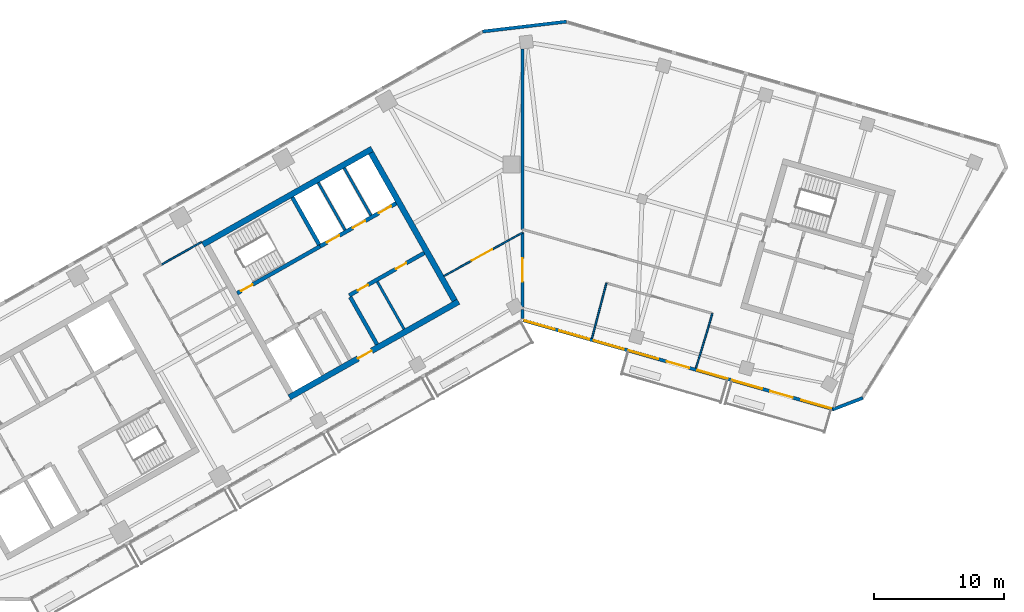
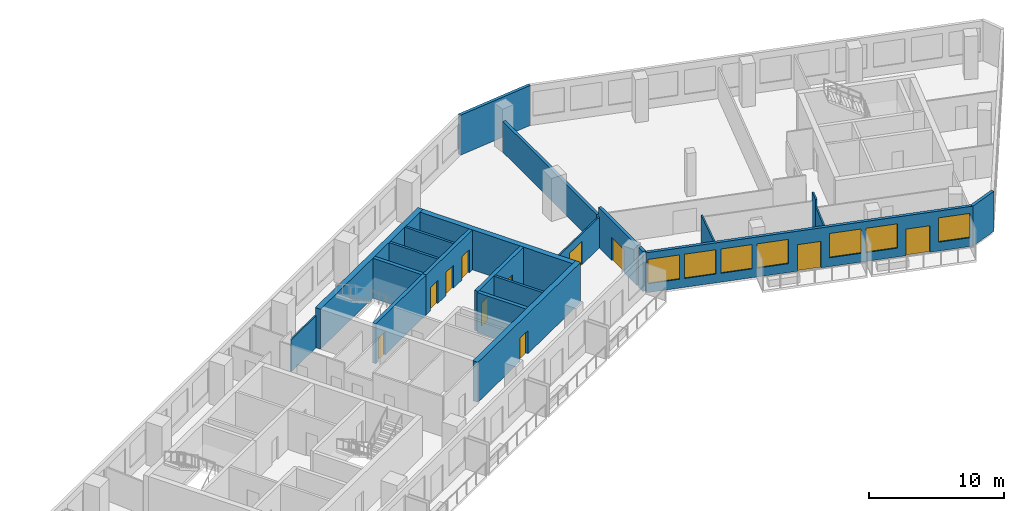
# One storey, part 6 of 11: 22 walls, 11 doors, 7 windows, 18 openings.
"""IFC4 building model written with IfcOpenShell, lengths in metres."""

from ifc_helpers import new_model, si_unit, direction, frame, frame_2d, origin, place, context, subcontext, project, spatial, rectangle, extrude, material, layer, layer_set, type_object, element, fill, save


model = new_model("IFC4")

# Units and contexts
model_context = context("Model", 3, precision=1e-05, world=origin(), true_north=direction((0.0, 1.0)))
body_context = subcontext(model_context, "Body", "Model", "MODEL_VIEW")
ifc_project = project(units=[si_unit("LENGTHUNIT", "METRE"), si_unit("AREAUNIT", "SQUARE_METRE"), si_unit("VOLUMEUNIT", "CUBIC_METRE"), si_unit("PLANEANGLEUNIT", "RADIAN"), si_unit("MASSUNIT", "GRAM", prefix="KILO")], contexts=[model_context])

# Site, building, storey
site_placement = place(None, origin())
site = spatial("IfcSite", under=ifc_project, at=site_placement, CompositionType="ELEMENT")
building_placement = place(site_placement, origin())
building = spatial("IfcBuilding", under=site, at=building_placement, Name="Binnacle Exchange Tower", CompositionType="ELEMENT")
storey_placement = place(building_placement, frame((0.0, 0.0, 219.199951171875)))
storey = spatial("IfcBuildingStorey", under=building, at=storey_placement, Name="L48", CompositionType="ELEMENT", Elevation=219.199951171875)

# Wall
ifc_material_1 = material(Name="Gypsum partition fire rated")
ifc_layer_1 = layer(ifc_material_1, 0.199951171875)
ifc_layer_set_1 = layer_set([ifc_layer_1], Name="Core partition 200")
wall_type_1 = type_object("IfcWallType", Name="Core partition 200", PredefinedType="PARTITIONING", material=ifc_layer_set_1)
wall_1_placement = place(storey_placement, frame((-11.201904296875, 50.96240234375, 0.0), z_axis=(0.0, 0.0, 1.0), x_axis=(0.492453686477, -0.870338650569, 0.0)))
element("IfcWall", 1, at=wall_1_placement, inside=storey, type_object=wall_type_1, Name="Core wall CRWC19", PredefinedType="PARTITIONING", context=body_context, shape_type="SweptSolid", body=[
    extrude(rectangle(XDim=4.2001953125, YDim=0.199951171875, at=frame_2d((2.10009765625, 0.0))), origin(), (0.0, 0.0, 1.0), 3.6201171875),
])

# Wall, openings, doors
ifc_material_2 = material(Name="Concrete C70/85", Category="concrete")
ifc_layer_2 = layer(ifc_material_2, 0.300048828125)
ifc_layer_set_2 = layer_set([ifc_layer_2], Name="Core wall - front 300")
wall_type_2 = type_object("IfcWallType", Name="Core wall - front 300", PredefinedType="SOLIDWALL", material=ifc_layer_set_2)
wall_2_placement = place(storey_placement, frame((-13.364501953125, 49.910888671875, 0.0), z_axis=(0.0, 0.0, 1.0), x_axis=(0.870352159619, 0.492429810477, 0.0)))
wall_2 = element("IfcWall", 2, at=wall_2_placement, inside=storey, type_object=wall_type_2, Name="Core wall CRWC3", PredefinedType="SOLIDWALL", context=body_context, shape_type="SweptSolid", body=[
    extrude(rectangle(XDim=6.64990234375, YDim=0.300048828125, at=frame_2d((3.324951171875, 0.0))), origin(), (0.0, 0.0, 1.0), 3.6201171875),
])
opening_1_placement = place(wall_2_placement, frame((0.75, 0.0, 0.0)))
opening_1 = element("IfcOpeningElement", 3, at=opening_1_placement, cuts=wall_2, Name="Opening DC18", PredefinedType="OPENING", context=body_context, shape_type="SweptSolid", body=[
    extrude(rectangle(XDim=0.89990234375, YDim=2.10009765625, at=frame_2d((0.449951171875, 1.050048828125))), frame((0.0, 0.159912109375, 0.0), z_axis=(0.0, -1.0, 0.0), x_axis=(1.0, 0.0, 0.0)), (0.0, 0.0, 1.0), 0.320068359375),
])
opening_2_placement = place(wall_2_placement, frame((4.14990234375, 0.0, 0.0)))
opening_2 = element("IfcOpeningElement", 4, at=opening_2_placement, cuts=wall_2, Name="Opening DC19", PredefinedType="OPENING", context=body_context, shape_type="SweptSolid", body=[
    extrude(rectangle(XDim=0.89990234375, YDim=2.10009765625, at=frame_2d((0.449951171875, 1.050048828125))), frame((0.0, 0.159912109375, 0.0), z_axis=(0.0, -1.0, 0.0), x_axis=(1.0, 0.0, 0.0)), (0.0, 0.0, 1.0), 0.320068359375),
])
ifc_material_3 = material(Name="Steel door leaf", Category="steel")
door_type_1 = type_object("IfcDoorType", Name="Fire door 900", OperationType="NOTDEFINED", PredefinedType="DOOR", material=ifc_material_3)
door_1_placement = place(opening_1_placement, frame((0.89990234375, 0.0, 0.0), z_axis=(0.0, 0.0, 1.0), x_axis=(-1.0, 0.0, 0.0)))
door_1 = element("IfcDoor", 5, at=door_1_placement, inside=storey, type_object=door_type_1, Name="Core room door COMMS RISER ROOM", OperationType="SINGLE_SWING_RIGHT", OverallHeight=2.10009765625, OverallWidth=0.89990234375, PredefinedType="DOOR", context=body_context, shape_type="SweptSolid", body=[
    extrude(rectangle(XDim=0.89990234375, YDim=2.10009765625, at=frame_2d((0.449951171875, 1.050048828125))), frame((0.0, 0.02490234375, 0.0), z_axis=(0.0, -1.0, 0.0), x_axis=(1.0, 0.0, 0.0)), (0.0, 0.0, 1.0), 0.050048828125),
])
fill(opening_1, door_1)
door_2_placement = place(opening_2_placement, frame((0.89990234375, 0.0, 0.0), z_axis=(0.0, 0.0, 1.0), x_axis=(-1.0, 0.0, 0.0)))
door_2 = element("IfcDoor", 6, at=door_2_placement, inside=storey, type_object=door_type_1, Name="Core room door TELECOM RISER ROOM", OperationType="SINGLE_SWING_LEFT", OverallHeight=2.10009765625, OverallWidth=0.89990234375, PredefinedType="DOOR", context=body_context, shape_type="SweptSolid", body=[
    extrude(rectangle(XDim=0.89990234375, YDim=2.10009765625, at=frame_2d((0.449951171875, 1.050048828125))), frame((0.0, 0.02490234375, 0.0), z_axis=(0.0, -1.0, 0.0), x_axis=(1.0, 0.0, 0.0)), (0.0, 0.0, 1.0), 0.050048828125),
])
fill(opening_2, door_2)

wall_3_placement = place(storey_placement, frame((-15.6181640625, 53.69140625, 0.0), z_axis=(0.0, 0.0, 1.0), x_axis=(0.870358646884, 0.492418344291, 0.0)))
wall_3 = element("IfcWall", 7, at=wall_3_placement, inside=storey, type_object=wall_type_2, Name="Core wall CRWC5", PredefinedType="SOLIDWALL", context=body_context, shape_type="SweptSolid", body=[
    extrude(rectangle(XDim=6.749755859375, YDim=0.300048828125, at=frame_2d((3.375, 0.0))), origin(), (0.0, 0.0, 1.0), 3.6201171875),
])
opening_3_placement = place(wall_3_placement, frame((0.60009765625, 0.0, 0.0)))
opening_3 = element("IfcOpeningElement", 8, at=opening_3_placement, cuts=wall_3, Name="Opening LD5", PredefinedType="OPENING", context=body_context, shape_type="SweptSolid", body=[
    extrude(rectangle(XDim=1.10009765625, YDim=2.10009765625, at=frame_2d((0.550048828125, 1.050048828125))), frame((0.0, 0.159912109375, 0.0), z_axis=(0.0, -1.0, 0.0), x_axis=(1.0, 0.0, 0.0)), (0.0, 0.0, 1.0), 0.320068359375),
])
opening_4_placement = place(wall_3_placement, frame((2.89990234375, 0.0, 0.0)))
opening_4 = element("IfcOpeningElement", 9, at=opening_4_placement, cuts=wall_3, Name="Opening LD6", PredefinedType="OPENING", context=body_context, shape_type="SweptSolid", body=[
    extrude(rectangle(XDim=1.10009765625, YDim=2.10009765625, at=frame_2d((0.550048828125, 1.050048828125))), frame((0.0, 0.159912109375, 0.0), z_axis=(0.0, -1.0, 0.0), x_axis=(1.0, 0.0, 0.0)), (0.0, 0.0, 1.0), 0.320068359375),
])
opening_5_placement = place(wall_3_placement, frame((5.199951171875, 0.0, 0.0)))
opening_5 = element("IfcOpeningElement", 10, at=opening_5_placement, cuts=wall_3, Name="Opening LD7", PredefinedType="OPENING", context=body_context, shape_type="SweptSolid", body=[
    extrude(rectangle(XDim=1.10009765625, YDim=2.10009765625, at=frame_2d((0.550048828125, 1.050048828125))), frame((0.0, 0.159912109375, 0.0), z_axis=(0.0, -1.0, 0.0), x_axis=(1.0, 0.0, 0.0)), (0.0, 0.0, 1.0), 0.320068359375),
])
door_type_2 = type_object("IfcDoorType", Name="Fire door - lift landing 1100", OperationType="NOTDEFINED", PredefinedType="DOOR", material=ifc_material_3)
door_3_placement = place(opening_3_placement, origin())
door_3 = element("IfcDoor", 11, at=door_3_placement, inside=storey, type_object=door_type_2, Name="Landing door LD5 L48", OperationType="DOUBLE_DOOR_SLIDING", OverallHeight=2.10009765625, OverallWidth=1.10009765625, PredefinedType="DOOR", context=body_context, shape_type="SweptSolid", body=[
    extrude(rectangle(XDim=1.10009765625, YDim=2.10009765625, at=frame_2d((0.550048828125, 1.050048828125))), frame((0.0, 0.02490234375, 0.0), z_axis=(0.0, -1.0, 0.0), x_axis=(1.0, 0.0, 0.0)), (0.0, 0.0, 1.0), 0.050048828125),
])
fill(opening_3, door_3)
door_4_placement = place(opening_4_placement, origin())
door_4 = element("IfcDoor", 12, at=door_4_placement, inside=storey, type_object=door_type_2, Name="Landing door LD6 L48", OperationType="DOUBLE_DOOR_SLIDING", OverallHeight=2.10009765625, OverallWidth=1.10009765625, PredefinedType="DOOR", context=body_context, shape_type="SweptSolid", body=[
    extrude(rectangle(XDim=1.10009765625, YDim=2.10009765625, at=frame_2d((0.550048828125, 1.050048828125))), frame((0.0, 0.02490234375, 0.0), z_axis=(0.0, -1.0, 0.0), x_axis=(1.0, 0.0, 0.0)), (0.0, 0.0, 1.0), 0.050048828125),
])
fill(opening_4, door_4)
door_5_placement = place(opening_5_placement, origin())
door_5 = element("IfcDoor", 13, at=door_5_placement, inside=storey, type_object=door_type_2, Name="Landing door LD7 L48", OperationType="DOUBLE_DOOR_SLIDING", OverallHeight=2.10009765625, OverallWidth=1.10009765625, PredefinedType="DOOR", context=body_context, shape_type="SweptSolid", body=[
    extrude(rectangle(XDim=1.10009765625, YDim=2.10009765625, at=frame_2d((0.550048828125, 1.050048828125))), frame((0.0, 0.02490234375, 0.0), z_axis=(0.0, -1.0, 0.0), x_axis=(1.0, 0.0, 0.0)), (0.0, 0.0, 1.0), 0.050048828125),
])
fill(opening_5, door_5)

# Wall
wall_4_placement = place(storey_placement, frame((-13.29052734375, 49.780517578125, 0.0), z_axis=(0.0, 0.0, 1.0), x_axis=(0.492409653846, -0.870363563575, 0.0)))
element("IfcWall", 14, at=wall_4_placement, inside=storey, type_object=wall_type_2, Name="Core wall CRWC15", PredefinedType="SOLIDWALL", context=body_context, shape_type="SweptSolid", body=[
    extrude(rectangle(XDim=4.199951171875, YDim=0.300048828125, at=frame_2d((2.10009765625, 0.0))), origin(), (0.0, 0.0, 1.0), 3.6201171875),
])

# Wall, opening, door
ifc_layer_3 = layer(ifc_material_2, 0.449951171875)
ifc_layer_set_3 = layer_set([ifc_layer_3], Name="Core wall - outer 450")
wall_type_3 = type_object("IfcWallType", Name="Core wall - outer 450", PredefinedType="SOLIDWALL", material=ifc_layer_set_3)
wall_5_placement = place(storey_placement, frame((-17.987548828125, 42.0390625, 0.0), z_axis=(0.0, 0.0, 1.0), x_axis=(0.870360574057, 0.492414937962, 0.0)))
wall_5 = element("IfcWall", 15, at=wall_5_placement, inside=storey, type_object=wall_type_3, Name="Core wall CRWC1", PredefinedType="SOLIDWALL", context=body_context, shape_type="SweptSolid", body=[
    extrude(rectangle(XDim=15.0, YDim=0.449951171875, at=frame_2d((7.5, 0.0))), origin(), (0.0, 0.0, 1.0), 3.6201171875),
])
opening_6_placement = place(wall_5_placement, frame((6.10009765625, 0.0, 0.0)))
opening_6 = element("IfcOpeningElement", 16, at=opening_6_placement, cuts=wall_5, Name="Opening DC7", PredefinedType="OPENING", context=body_context, shape_type="SweptSolid", body=[
    extrude(rectangle(XDim=1.199951171875, YDim=2.10009765625, at=frame_2d((0.60009765625, 1.050048828125))), frame((0.0, 0.23486328125, 0.0), z_axis=(0.0, -1.0, 0.0), x_axis=(1.0, 0.0, 0.0)), (0.0, 0.0, 1.0), 0.469970703125),
])
door_type_3 = type_object("IfcDoorType", Name="Fire door 1200", OperationType="NOTDEFINED", PredefinedType="DOOR", material=ifc_material_3)
door_6_placement = place(opening_6_placement, frame((1.199951171875, 0.0, 0.0), z_axis=(0.0, 0.0, 1.0), x_axis=(-1.0, 0.0, 0.0)))
door_6 = element("IfcDoor", 17, at=door_6_placement, inside=storey, type_object=door_type_3, Name="Lift lobby entrance door core C", OperationType="SINGLE_SWING_RIGHT", OverallHeight=2.10009765625, OverallWidth=1.199951171875, PredefinedType="DOOR", context=body_context, shape_type="SweptSolid", body=[
    extrude(rectangle(XDim=1.199951171875, YDim=2.10009765625, at=frame_2d((0.60009765625, 1.050048828125))), frame((0.0, 0.02490234375, 0.0), z_axis=(0.0, -1.0, 0.0), x_axis=(1.0, 0.0, 0.0)), (0.0, 0.0, 1.0), 0.050048828125),
])
fill(opening_6, door_6)

# Walls
wall_6_placement = place(storey_placement, frame((-24.659912109375, 53.832275390625, 0.0), z_axis=(0.0, 0.0, 1.0), x_axis=(0.870353598469, 0.492427267353, 0.0)))
element("IfcWall", 18, at=wall_6_placement, inside=storey, type_object=wall_type_3, Name="Core wall CRWC6", PredefinedType="SOLIDWALL", context=body_context, shape_type="SweptSolid", body=[
    extrude(rectangle(XDim=15.000244140625, YDim=0.449951171875, at=frame_2d((7.5, 0.0))), origin(), (0.0, 0.0, 1.0), 3.6201171875),
])
wall_7_placement = place(storey_placement, frame((-11.689453125, 60.912109375, 0.0), z_axis=(0.0, 0.0, 1.0), x_axis=(0.492421378713, -0.870356930107, 0.0)))
element("IfcWall", 19, at=wall_7_placement, inside=storey, type_object=wall_type_3, Name="Core wall CRWC24", PredefinedType="SOLIDWALL", context=body_context, shape_type="SweptSolid", body=[
    extrude(rectangle(XDim=13.099853515625, YDim=0.449951171875, at=frame_2d((6.5498046875, 0.0))), origin(), (0.0, 0.0, 1.0), 3.6201171875),
])

# Wall, opening, door
ifc_layer_4 = layer(ifc_material_2, 0.300048828125)
ifc_layer_set_4 = layer_set([ifc_layer_4], Name="Core wall - stair 300")
wall_type_4 = type_object("IfcWallType", Name="Core wall - stair 300", PredefinedType="SOLIDWALL", material=ifc_layer_set_4)
wall_8_placement = place(storey_placement, frame((-22.015380859375, 50.072021484375, 0.0), z_axis=(0.0, 0.0, 1.0), x_axis=(0.870354900257, 0.492424966466, 0.0)))
wall_8 = element("IfcWall", 20, at=wall_8_placement, inside=storey, type_object=wall_type_4, Name="Core wall CRWC4", PredefinedType="SOLIDWALL", context=body_context, shape_type="SweptSolid", body=[
    extrude(rectangle(XDim=7.35009765625, YDim=0.300048828125, at=frame_2d((3.675048828125, 0.0))), origin(), (0.0, 0.0, 1.0), 3.6201171875),
])
opening_7_placement = place(wall_8_placement, frame((0.35009765625, 0.0, 0.0)))
opening_7 = element("IfcOpeningElement", 21, at=opening_7_placement, cuts=wall_8, Name="Opening DC1", PredefinedType="OPENING", context=body_context, shape_type="SweptSolid", body=[
    extrude(rectangle(XDim=1.0, YDim=2.10009765625, at=frame_2d((0.5, 1.050048828125))), frame((0.0, 0.159912109375, 0.0), z_axis=(0.0, -1.0, 0.0), x_axis=(1.0, 0.0, 0.0)), (0.0, 0.0, 1.0), 0.320068359375),
])
door_type_4 = type_object("IfcDoorType", Name="Fire door 1000", OperationType="NOTDEFINED", PredefinedType="DOOR", material=ifc_material_3)
door_7_placement = place(opening_7_placement, origin())
door_7 = element("IfcDoor", 22, at=door_7_placement, inside=storey, type_object=door_type_4, Name="Stair door ST-C1", OperationType="SINGLE_SWING_LEFT", OverallHeight=2.10009765625, OverallWidth=1.0, PredefinedType="DOOR", context=body_context, shape_type="SweptSolid", body=[
    extrude(rectangle(XDim=1.0, YDim=2.10009765625, at=frame_2d((0.5, 1.050048828125))), frame((0.0, 0.02490234375, 0.0), z_axis=(0.0, -1.0, 0.0), x_axis=(1.0, 0.0, 0.0)), (0.0, 0.0, 1.0), 0.050048828125),
])
fill(opening_7, door_7)

# Wall
wall_9_placement = place(storey_placement, frame((-17.76025390625, 57.477294921875, 0.0), z_axis=(0.0, 0.0, 1.0), x_axis=(0.49243456751, -0.870349468157, 0.0)))
element("IfcWall", 23, at=wall_9_placement, inside=storey, type_object=wall_type_4, Name="Core wall CRWC14", PredefinedType="SOLIDWALL", context=body_context, shape_type="SweptSolid", body=[
    extrude(rectangle(XDim=4.19970703125, YDim=0.300048828125, at=frame_2d((2.099853515625, 0.0))), origin(), (0.0, 0.0, 1.0), 3.6201171875),
])

# Wall, openings, doors, windows
ifc_material_4 = material(Name="Bronze aluminium cladding", Category="aluminium")
ifc_layer_5 = layer(ifc_material_4, 0.25)
ifc_layer_set_5 = layer_set([ifc_layer_5], Name="External wall - window wall 250")
wall_type_5 = type_object("IfcWallType", Name="External wall - window wall 250", PredefinedType="STANDARD", material=ifc_layer_set_5)
wall_10_placement = place(storey_placement, frame((24.034423828125, 41.108154296875, 0.0), z_axis=(0.0, 0.0, 1.0), x_axis=(-0.96126060691, 0.275641153683, 0.0)))
wall_10 = element("IfcWall", 24, at=wall_10_placement, inside=storey, type_object=wall_type_5, Name="External wall EW-G02 L48", PredefinedType="STANDARD", context=body_context, shape_type="SweptSolid", body=[
    extrude(rectangle(XDim=24.95068359375, YDim=0.25, at=frame_2d((12.475341796875, 0.0))), origin(), (0.0, 0.0, 1.0), 3.6201171875),
])
opening_8_placement = place(wall_10_placement, frame((22.416259765625, 0.0, 0.800048828125)))
opening_8 = element("IfcOpeningElement", 25, at=opening_8_placement, cuts=wall_10, Name="Opening WR1", PredefinedType="OPENING", context=body_context, shape_type="SweptSolid", body=[
    extrude(rectangle(XDim=2.39990234375, YDim=2.199951171875, at=frame_2d((1.199951171875, 1.10009765625))), frame((0.0, 0.135009765625, 0.0), z_axis=(0.0, -1.0, 0.0), x_axis=(1.0, 0.0, 0.0)), (0.0, 0.0, 1.0), 0.27001953125),
])
opening_9_placement = place(wall_10_placement, frame((19.642822265625, 0.0, 0.800048828125)))
opening_9 = element("IfcOpeningElement", 26, at=opening_9_placement, cuts=wall_10, Name="Opening WR1", PredefinedType="OPENING", context=body_context, shape_type="SweptSolid", body=[
    extrude(rectangle(XDim=2.39990234375, YDim=2.199951171875, at=frame_2d((1.199951171875, 1.10009765625))), frame((0.0, 0.135009765625, 0.0), z_axis=(0.0, -1.0, 0.0), x_axis=(1.0, 0.0, 0.0)), (0.0, 0.0, 1.0), 0.27001953125),
])
opening_10_placement = place(wall_10_placement, frame((16.869384765625, 0.0, 0.800048828125)))
opening_10 = element("IfcOpeningElement", 27, at=opening_10_placement, cuts=wall_10, Name="Opening WR1", PredefinedType="OPENING", context=body_context, shape_type="SweptSolid", body=[
    extrude(rectangle(XDim=2.39990234375, YDim=2.199951171875, at=frame_2d((1.199951171875, 1.10009765625))), frame((0.0, 0.135009765625, 0.0), z_axis=(0.0, -1.0, 0.0), x_axis=(1.0, 0.0, 0.0)), (0.0, 0.0, 1.0), 0.27001953125),
])
opening_11_placement = place(wall_10_placement, frame((14.095947265625, 0.0, 0.800048828125)))
opening_11 = element("IfcOpeningElement", 28, at=opening_11_placement, cuts=wall_10, Name="Opening WR1", PredefinedType="OPENING", context=body_context, shape_type="SweptSolid", body=[
    extrude(rectangle(XDim=2.39990234375, YDim=2.199951171875, at=frame_2d((1.199951171875, 1.10009765625))), frame((0.0, 0.135009765625, 0.0), z_axis=(0.0, -1.0, 0.0), x_axis=(1.0, 0.0, 0.0)), (0.0, 0.0, 1.0), 0.27001953125),
])
opening_12_placement = place(wall_10_placement, frame((11.622314453125, 0.0, 0.0)))
opening_12 = element("IfcOpeningElement", 29, at=opening_12_placement, cuts=wall_10, Name="Opening D-FS13-06", PredefinedType="OPENING", context=body_context, shape_type="SweptSolid", body=[
    extrude(rectangle(XDim=1.800048828125, YDim=2.39990234375, at=frame_2d((0.89990234375, 1.199951171875))), frame((0.0, 0.135009765625, 0.0), z_axis=(0.0, -1.0, 0.0), x_axis=(1.0, 0.0, 0.0)), (0.0, 0.0, 1.0), 0.27001953125),
])
opening_13_placement = place(wall_10_placement, frame((8.548828125, 0.0, 0.800048828125)))
opening_13 = element("IfcOpeningElement", 30, at=opening_13_placement, cuts=wall_10, Name="Opening WR1", PredefinedType="OPENING", context=body_context, shape_type="SweptSolid", body=[
    extrude(rectangle(XDim=2.39990234375, YDim=2.199951171875, at=frame_2d((1.199951171875, 1.10009765625))), frame((0.0, 0.135009765625, 0.0), z_axis=(0.0, -1.0, 0.0), x_axis=(1.0, 0.0, 0.0)), (0.0, 0.0, 1.0), 0.27001953125),
])
opening_14_placement = place(wall_10_placement, frame((5.775390625, 0.0, 0.800048828125)))
opening_14 = element("IfcOpeningElement", 31, at=opening_14_placement, cuts=wall_10, Name="Opening WR1", PredefinedType="OPENING", context=body_context, shape_type="SweptSolid", body=[
    extrude(rectangle(XDim=2.39990234375, YDim=2.199951171875, at=frame_2d((1.199951171875, 1.10009765625))), frame((0.0, 0.135009765625, 0.0), z_axis=(0.0, -1.0, 0.0), x_axis=(1.0, 0.0, 0.0)), (0.0, 0.0, 1.0), 0.27001953125),
])
opening_15_placement = place(wall_10_placement, frame((3.302001953125, 0.0, 0.0)))
opening_15 = element("IfcOpeningElement", 32, at=opening_15_placement, cuts=wall_10, Name="Opening D-FS13-07", PredefinedType="OPENING", context=body_context, shape_type="SweptSolid", body=[
    extrude(rectangle(XDim=1.800048828125, YDim=2.39990234375, at=frame_2d((0.89990234375, 1.199951171875))), frame((0.0, 0.135009765625, 0.0), z_axis=(0.0, -1.0, 0.0), x_axis=(1.0, 0.0, 0.0)), (0.0, 0.0, 1.0), 0.27001953125),
])
opening_16_placement = place(wall_10_placement, frame((0.228515625, 0.0, 0.800048828125)))
opening_16 = element("IfcOpeningElement", 33, at=opening_16_placement, cuts=wall_10, Name="Opening WR1", PredefinedType="OPENING", context=body_context, shape_type="SweptSolid", body=[
    extrude(rectangle(XDim=2.39990234375, YDim=2.199951171875, at=frame_2d((1.199951171875, 1.10009765625))), frame((0.0, 0.135009765625, 0.0), z_axis=(0.0, -1.0, 0.0), x_axis=(1.0, 0.0, 0.0)), (0.0, 0.0, 1.0), 0.27001953125),
])
ifc_material_5 = material(Name="Bronze anodised aluminium frame", Category="aluminium")
door_type_5 = type_object("IfcDoorType", Name="DB DOOR 1800x2400", OperationType="DOUBLE_DOOR_SINGLE_SWING", PredefinedType="DOOR", material=ifc_material_5)
door_8_placement = place(opening_12_placement, origin())
door_8 = element("IfcDoor", 34, at=door_8_placement, inside=storey, type_object=door_type_5, Name="Door D-FS13-06 L48", OperationType="DOUBLE_DOOR_SINGLE_SWING", OverallHeight=2.39990234375, OverallWidth=1.800048828125, PredefinedType="DOOR", context=body_context, shape_type="SweptSolid", body=[
    extrude(rectangle(XDim=1.800048828125, YDim=2.39990234375, at=frame_2d((0.89990234375, 1.199951171875))), frame((0.0, 0.02490234375, 0.0), z_axis=(0.0, -1.0, 0.0), x_axis=(1.0, 0.0, 0.0)), (0.0, 0.0, 1.0), 0.050048828125),
])
fill(opening_12, door_8)
door_9_placement = place(opening_15_placement, origin())
door_9 = element("IfcDoor", 35, at=door_9_placement, inside=storey, type_object=door_type_5, Name="Door D-FS13-07 L48", OperationType="DOUBLE_DOOR_SINGLE_SWING", OverallHeight=2.39990234375, OverallWidth=1.800048828125, PredefinedType="DOOR", context=body_context, shape_type="SweptSolid", body=[
    extrude(rectangle(XDim=1.800048828125, YDim=2.39990234375, at=frame_2d((0.89990234375, 1.199951171875))), frame((0.0, 0.02490234375, 0.0), z_axis=(0.0, -1.0, 0.0), x_axis=(1.0, 0.0, 0.0)), (0.0, 0.0, 1.0), 0.050048828125),
])
fill(opening_15, door_9)
window_type = type_object("IfcWindowType", Name="WR1 WINDOW 2400x2200", PartitioningType="SINGLE_PANEL", PredefinedType="WINDOW", material=ifc_material_5)
window_1_placement = place(opening_8_placement, origin())
window_1 = element("IfcWindow", 36, at=window_1_placement, inside=storey, type_object=window_type, Name="Window WR1 L48", OverallHeight=2.199951171875, OverallWidth=2.39990234375, PartitioningType="SINGLE_PANEL", PredefinedType="WINDOW", context=body_context, shape_type="SweptSolid", body=[
    extrude(rectangle(XDim=2.39990234375, YDim=2.199951171875, at=frame_2d((1.199951171875, 1.10009765625))), frame((0.0, 0.030029296875, 0.0), z_axis=(0.0, -1.0, 0.0), x_axis=(1.0, 0.0, 0.0)), (0.0, 0.0, 1.0), 0.06005859375),
])
fill(opening_8, window_1)
window_2_placement = place(opening_9_placement, origin())
window_2 = element("IfcWindow", 37, at=window_2_placement, inside=storey, type_object=window_type, Name="Window WR1 L48", OverallHeight=2.199951171875, OverallWidth=2.39990234375, PartitioningType="SINGLE_PANEL", PredefinedType="WINDOW", context=body_context, shape_type="SweptSolid", body=[
    extrude(rectangle(XDim=2.39990234375, YDim=2.199951171875, at=frame_2d((1.199951171875, 1.10009765625))), frame((0.0, 0.030029296875, 0.0), z_axis=(0.0, -1.0, 0.0), x_axis=(1.0, 0.0, 0.0)), (0.0, 0.0, 1.0), 0.06005859375),
])
fill(opening_9, window_2)
window_3_placement = place(opening_10_placement, origin())
window_3 = element("IfcWindow", 38, at=window_3_placement, inside=storey, type_object=window_type, Name="Window WR1 L48", OverallHeight=2.199951171875, OverallWidth=2.39990234375, PartitioningType="SINGLE_PANEL", PredefinedType="WINDOW", context=body_context, shape_type="SweptSolid", body=[
    extrude(rectangle(XDim=2.39990234375, YDim=2.199951171875, at=frame_2d((1.199951171875, 1.10009765625))), frame((0.0, 0.030029296875, 0.0), z_axis=(0.0, -1.0, 0.0), x_axis=(1.0, 0.0, 0.0)), (0.0, 0.0, 1.0), 0.06005859375),
])
fill(opening_10, window_3)
window_4_placement = place(opening_11_placement, origin())
window_4 = element("IfcWindow", 39, at=window_4_placement, inside=storey, type_object=window_type, Name="Window WR1 L48", OverallHeight=2.199951171875, OverallWidth=2.39990234375, PartitioningType="SINGLE_PANEL", PredefinedType="WINDOW", context=body_context, shape_type="SweptSolid", body=[
    extrude(rectangle(XDim=2.39990234375, YDim=2.199951171875, at=frame_2d((1.199951171875, 1.10009765625))), frame((0.0, 0.030029296875, 0.0), z_axis=(0.0, -1.0, 0.0), x_axis=(1.0, 0.0, 0.0)), (0.0, 0.0, 1.0), 0.06005859375),
])
fill(opening_11, window_4)
window_5_placement = place(opening_13_placement, origin())
window_5 = element("IfcWindow", 40, at=window_5_placement, inside=storey, type_object=window_type, Name="Window WR1 L48", OverallHeight=2.199951171875, OverallWidth=2.39990234375, PartitioningType="SINGLE_PANEL", PredefinedType="WINDOW", context=body_context, shape_type="SweptSolid", body=[
    extrude(rectangle(XDim=2.39990234375, YDim=2.199951171875, at=frame_2d((1.199951171875, 1.10009765625))), frame((0.0, 0.030029296875, 0.0), z_axis=(0.0, -1.0, 0.0), x_axis=(1.0, 0.0, 0.0)), (0.0, 0.0, 1.0), 0.06005859375),
])
fill(opening_13, window_5)
window_6_placement = place(opening_14_placement, origin())
window_6 = element("IfcWindow", 41, at=window_6_placement, inside=storey, type_object=window_type, Name="Window WR1 L48", OverallHeight=2.199951171875, OverallWidth=2.39990234375, PartitioningType="SINGLE_PANEL", PredefinedType="WINDOW", context=body_context, shape_type="SweptSolid", body=[
    extrude(rectangle(XDim=2.39990234375, YDim=2.199951171875, at=frame_2d((1.199951171875, 1.10009765625))), frame((0.0, 0.030029296875, 0.0), z_axis=(0.0, -1.0, 0.0), x_axis=(1.0, 0.0, 0.0)), (0.0, 0.0, 1.0), 0.06005859375),
])
fill(opening_14, window_6)
window_7_placement = place(opening_16_placement, origin())
window_7 = element("IfcWindow", 42, at=window_7_placement, inside=storey, type_object=window_type, Name="Window WR1 L48", OverallHeight=2.199951171875, OverallWidth=2.39990234375, PartitioningType="SINGLE_PANEL", PredefinedType="WINDOW", context=body_context, shape_type="SweptSolid", body=[
    extrude(rectangle(XDim=2.39990234375, YDim=2.199951171875, at=frame_2d((1.199951171875, 1.10009765625))), frame((0.0, 0.030029296875, 0.0), z_axis=(0.0, -1.0, 0.0), x_axis=(1.0, 0.0, 0.0)), (0.0, 0.0, 1.0), 0.06005859375),
])
fill(opening_16, window_7)

# Walls
wall_11_placement = place(storey_placement, frame((26.27001953125, 41.993408203125, 0.0), z_axis=(0.0, 0.0, 1.0), x_axis=(-0.933573798066, -0.358385216722, 0.0)))
element("IfcWall", 43, at=wall_11_placement, inside=storey, type_object=wall_type_5, Name="External wall EW-G03 L48", PredefinedType="STANDARD", context=body_context, shape_type="SweptSolid", body=[
    extrude(rectangle(XDim=2.479736328125, YDim=0.25, at=frame_2d((1.23974609375, 0.0))), origin(), (0.0, 0.0, 1.0), 3.6201171875),
])
wall_12_placement = place(storey_placement, frame((-3.0712890625, 70.2734375, 0.0), z_axis=(0.0, 0.0, 1.0), x_axis=(0.993064524962, 0.11757061394, 0.0)))
element("IfcWall", 44, at=wall_12_placement, inside=storey, type_object=wall_type_5, Name="External wall EW-G07 L48", PredefinedType="STANDARD", context=body_context, shape_type="SweptSolid", body=[
    extrude(rectangle(XDim=6.505859375, YDim=0.25, at=frame_2d((3.2529296875, 0.0))), origin(), (0.0, 0.0, 1.0), 3.6201171875),
])
ifc_material_6 = material(Name="Concrete fire wall C30/37", Category="concrete")
ifc_layer_6 = layer(ifc_material_6, 0.25)
ifc_layer_set_6 = layer_set([ifc_layer_6], Name="Fire wall - compartment 250")
wall_type_6 = type_object("IfcWallType", Name="Fire wall - compartment 250", PredefinedType="PARTITIONING", material=ifc_layer_set_6)
wall_13_placement = place(storey_placement, frame((0.0, 48.1298828125, 0.0), z_axis=(0.0, 0.0, 1.0), x_axis=(0.0, 1.0, 0.0)))
element("IfcWall", 45, at=wall_13_placement, inside=storey, type_object=wall_type_6, Name="Fire Wall W21", PredefinedType="PARTITIONING", context=body_context, shape_type="SweptSolid", body=[
    extrude(rectangle(XDim=0.674072265625, YDim=0.25, at=frame_2d((0.3369140625, 0.0))), origin(), (0.0, 0.0, 1.0), 3.6201171875),
])

# Wall, opening, door
wall_14_placement = place(storey_placement, frame((0.0, 49.014892578125, 0.0), z_axis=(0.0, 0.0, 1.0), x_axis=(0.0, 1.0, 0.0)))
wall_14 = element("IfcWall", 46, at=wall_14_placement, inside=storey, type_object=wall_type_6, Name="Fire Wall W22", PredefinedType="PARTITIONING", context=body_context, shape_type="SweptSolid", body=[
    extrude(rectangle(XDim=5.735107421875, YDim=0.25, at=frame_2d((2.86767578125, 0.0))), origin(), (0.0, 0.0, 1.0), 3.6201171875),
])
opening_17_placement = place(wall_14_placement, frame((1.949951171875, 0.0, 0.0)))
opening_17 = element("IfcOpeningElement", 47, at=opening_17_placement, cuts=wall_14, Name="Opening DL48-16", PredefinedType="OPENING", context=body_context, shape_type="SweptSolid", body=[
    extrude(rectangle(XDim=1.800048828125, YDim=2.10009765625, at=frame_2d((0.89990234375, 1.050048828125))), frame((0.0, 0.135009765625, 0.0), z_axis=(0.0, -1.0, 0.0), x_axis=(1.0, 0.0, 0.0)), (0.0, 0.0, 1.0), 0.27001953125),
])
door_type_6 = type_object("IfcDoorType", Name="Fire door 1800", OperationType="NOTDEFINED", PredefinedType="DOOR", material=ifc_material_3)
door_10_placement = place(opening_17_placement, origin())
door_10 = element("IfcDoor", 48, at=door_10_placement, inside=storey, type_object=door_type_6, Name="Door DL48-16", OperationType="DOUBLE_DOOR_SINGLE_SWING", OverallHeight=2.10009765625, OverallWidth=1.800048828125, PredefinedType="DOOR", context=body_context, shape_type="SweptSolid", body=[
    extrude(rectangle(XDim=1.800048828125, YDim=2.10009765625, at=frame_2d((0.89990234375, 1.050048828125))), frame((0.0, 0.02490234375, 0.0), z_axis=(0.0, -1.0, 0.0), x_axis=(1.0, 0.0, 0.0)), (0.0, 0.0, 1.0), 0.050048828125),
])
fill(opening_17, door_10)

# Walls
wall_15_placement = place(storey_placement, frame((0.0, 55.0, 0.0), z_axis=(0.0, 0.0, 1.0), x_axis=(0.0, 1.0, 0.0)))
element("IfcWall", 49, at=wall_15_placement, inside=storey, type_object=wall_type_6, Name="Fire Wall W23", PredefinedType="PARTITIONING", context=body_context, shape_type="SweptSolid", body=[
    extrude(rectangle(XDim=13.925048828125, YDim=0.25, at=frame_2d((6.96240234375, 0.0))), origin(), (0.0, 0.0, 1.0), 2.800048828125),
])
ifc_material_7 = material(Name="Gypsum partition")
ifc_layer_7 = layer(ifc_material_7, 0.125)
ifc_layer_set_7 = layer_set([ifc_layer_7], Name="Partition 125")
wall_type_7 = type_object("IfcWallType", Name="Partition 125", PredefinedType="PARTITIONING", material=ifc_layer_set_7)
wall_16_placement = place(storey_placement, frame((-27.89599609375, 52.260009765625, 0.0), z_axis=(0.0, 0.0, 1.0), x_axis=(0.870352535776, 0.492429145632, 0.0)))
element("IfcWall", 50, at=wall_16_placement, inside=storey, type_object=wall_type_7, Name="Partition W10", PredefinedType="PARTITIONING", context=body_context, shape_type="SweptSolid", body=[
    extrude(rectangle(XDim=3.590576171875, YDim=0.125, at=frame_2d((1.79541015625, 0.0))), origin(), (0.0, 0.0, 1.0), 2.89208984375),
])

# Wall, opening, door
wall_17_placement = place(storey_placement, frame((-6.052978515625, 51.405029296875, 0.0), z_axis=(0.0, 0.0, 1.0), x_axis=(0.875247434681, 0.483675436718, 0.0)))
wall_17 = element("IfcWall", 51, at=wall_17_placement, inside=storey, type_object=wall_type_7, Name="Partition W20", PredefinedType="PARTITIONING", context=body_context, shape_type="SweptSolid", body=[
    extrude(rectangle(XDim=6.915771484375, YDim=0.125, at=frame_2d((3.4580078125, 0.0))), origin(), (0.0, 0.0, 1.0), 2.800048828125),
])
opening_18_placement = place(wall_17_placement, frame((2.449951171875, 0.0, 0.0)))
opening_18 = element("IfcOpeningElement", 52, at=opening_18_placement, cuts=wall_17, Name="Opening DL48-09", PredefinedType="OPENING", context=body_context, shape_type="SweptSolid", body=[
    extrude(rectangle(XDim=1.800048828125, YDim=2.10009765625, at=frame_2d((0.89990234375, 1.050048828125))), frame((0.0, 0.072509765625, 0.0), z_axis=(0.0, -1.0, 0.0), x_axis=(1.0, 0.0, 0.0)), (0.0, 0.0, 1.0), 0.14501953125),
])
ifc_material_8 = material(Name="Timber door leaf", Category="wood")
door_type_7 = type_object("IfcDoorType", Name="Double door 1800", OperationType="NOTDEFINED", PredefinedType="DOOR", material=ifc_material_8)
door_11_placement = place(opening_18_placement, origin())
door_11 = element("IfcDoor", 53, at=door_11_placement, inside=storey, type_object=door_type_7, Name="Door DL48-09", OperationType="DOUBLE_DOOR_SINGLE_SWING", OverallHeight=2.10009765625, OverallWidth=1.800048828125, PredefinedType="DOOR", context=body_context, shape_type="SweptSolid", body=[
    extrude(rectangle(XDim=1.800048828125, YDim=2.10009765625, at=frame_2d((0.89990234375, 1.050048828125))), frame((0.0, 0.02490234375, 0.0), z_axis=(0.0, -1.0, 0.0), x_axis=(1.0, 0.0, 0.0)), (0.0, 0.0, 1.0), 0.050048828125),
])
fill(opening_18, door_11)

# Walls
wall_18_placement = place(storey_placement, frame((5.364013671875, 46.592041015625, 0.0), z_axis=(0.0, 0.0, 1.0), x_axis=(0.253446952203, 0.967349286669, 0.0)))
element("IfcWall", 54, at=wall_18_placement, inside=storey, type_object=wall_type_7, Name="Partition W25", PredefinedType="PARTITIONING", context=body_context, shape_type="SweptSolid", body=[
    extrude(rectangle(XDim=4.410888671875, YDim=0.125, at=frame_2d((2.20556640625, 0.0))), origin(), (0.0, 0.0, 1.0), 2.988037109375),
])
wall_19_placement = place(storey_placement, frame((13.389892578125, 44.2900390625, 0.0), z_axis=(0.0, 0.0, 1.0), x_axis=(0.289389501276, 0.957211427299, 0.0)))
element("IfcWall", 55, at=wall_19_placement, inside=storey, type_object=wall_type_7, Name="Partition W29", PredefinedType="PARTITIONING", context=body_context, shape_type="SweptSolid", body=[
    extrude(rectangle(XDim=3.410888671875, YDim=0.125, at=frame_2d((1.70556640625, 0.0))), origin(), (0.0, 0.0, 1.0), 2.994140625),
])
wall_20_placement = place(storey_placement, frame((14.376953125, 47.554931640625, 0.0), z_axis=(0.0, 0.0, 1.0), x_axis=(0.275204870584, 0.961385603807, 0.0)))
element("IfcWall", 56, at=wall_20_placement, inside=storey, type_object=wall_type_7, Name="Partition W30", PredefinedType="PARTITIONING", context=body_context, shape_type="SweptSolid", body=[
    extrude(rectangle(XDim=0.999755859375, YDim=0.125, at=frame_2d((0.5, 0.0))), origin(), (0.0, 0.0, 1.0), 3.6201171875),
])
ifc_material_9 = material(Name="Masonry block wall", Category="masonry")
ifc_layer_8 = layer(ifc_material_9, 0.199951171875)
ifc_layer_set_8 = layer_set([ifc_layer_8], Name="Shaft wall 200")
wall_type_8 = type_object("IfcWallType", Name="Shaft wall 200", PredefinedType="SOLIDWALL", material=ifc_layer_set_8)
for number, where, z_axis, x_axis, name in (
    (57, (-15.75830078125, 58.60986328125, 0.0), (0.0, 0.0, 1.0), (0.492409653846, -0.870363563575, 0.0), "Core wall CRWC18"),
    (58, (-13.756591796875, 59.742431640625, 0.0), (0.0, 0.0, 1.0), (0.492409653846, -0.870363563575, 0.0), "Core wall CRWC21"),
):
    element("IfcWall", number, at=place(storey_placement, frame(where, z_axis=z_axis, x_axis=x_axis)), inside=storey, type_object=wall_type_8, Name=name, PredefinedType="SOLIDWALL", context=body_context, shape_type="SweptSolid", body=[
        extrude(rectangle(XDim=4.199951171875, YDim=0.199951171875, at=frame_2d((2.10009765625, 0.0))), origin(), (0.0, 0.0, 1.0), 3.6201171875),
    ])

save(model, "model.ifc")
